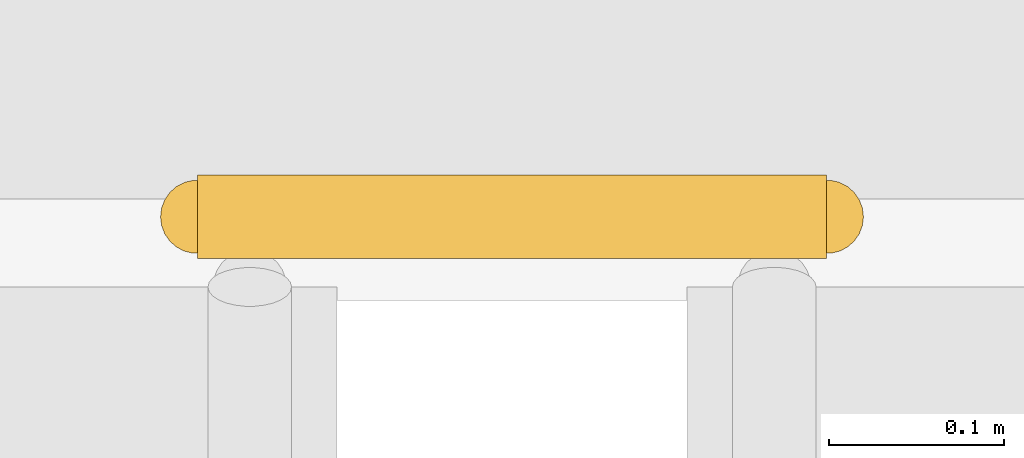
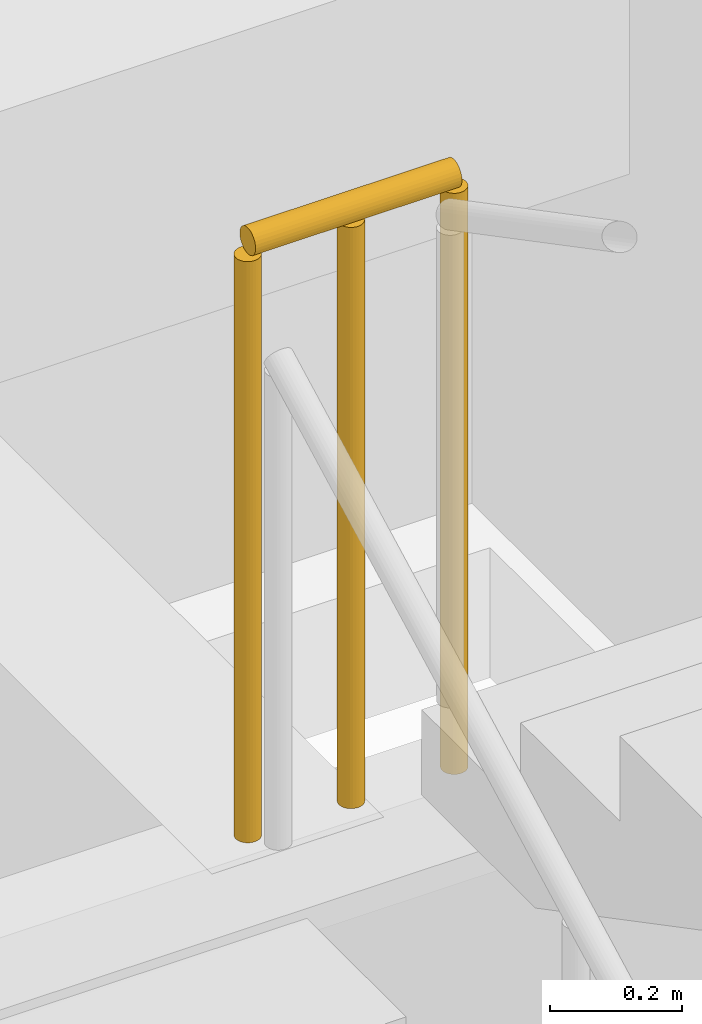
# One storey, part 47 of 50: 1 railing.
"""IFC4 building model written with IfcOpenShell, lengths in metres."""

from ifc_helpers import new_model, si_unit, direction, frame, origin, origin_2d, place, context, subcontext, project, spatial, circle, extrude, material, type_object, element, save


model = new_model("IFC4")

# Units and contexts
model_context = context("Model", 3, precision=1e-05, world=origin(), true_north=direction((0.0, 1.0)))
body_context = subcontext(model_context, "Body", "Model", "MODEL_VIEW")
ifc_project = project(units=[si_unit("LENGTHUNIT", "METRE"), si_unit("AREAUNIT", "SQUARE_METRE"), si_unit("VOLUMEUNIT", "CUBIC_METRE"), si_unit("PLANEANGLEUNIT", "RADIAN"), si_unit("MASSUNIT", "GRAM", prefix="KILO"), si_unit("THERMODYNAMICTEMPERATUREUNIT", "KELVIN"), si_unit("POWERUNIT", "WATT")], contexts=[model_context])

# Site, building, storey
site_placement = place(None, origin())
site = spatial("IfcSite", under=ifc_project, at=site_placement, CompositionType="ELEMENT")
building_placement = place(site_placement, origin())
building = spatial("IfcBuilding", under=site, at=building_placement, Name="Tavuni Mirador Residences", CompositionType="ELEMENT")
storey_placement = place(building_placement, frame((0.0, 0.0, 4.5)))
storey = spatial("IfcBuildingStorey", under=building, at=storey_placement, Name="L01", CompositionType="ELEMENT", Elevation=4.5)

# Railing
ifc_material = material(Name="Structural steel S355", Category="steel")
railing_type = type_object("IfcRailingType", Name="RT-GR1120", PredefinedType="GUARDRAIL", material=ifc_material)
railing_placement = place(storey_placement, frame((12.419921875, 90.93994140625, 1.574951171875)))
element("IfcRailing", 1, at=railing_placement, inside=storey, type_object=railing_type, Name="GRD-HL-ST4-L01", PredefinedType="GUARDRAIL", context=body_context, shape_type="SweptSolid", body=[
    extrude(circle(Radius=0.02392578125, at=origin_2d()), frame((0.0, 0.0, 1.09619140625), z_axis=(1.0, 0.0, 0.0), x_axis=(0.0, 1.0, 0.0)), (0.0, 0.0, 1.0), 0.360107421875),
    extrude(circle(Radius=0.02099609375, at=origin_2d()), origin(), (0.0, 0.0, 1.0), 1.072021484375),
    extrude(circle(Radius=0.02099609375, at=origin_2d()), frame((0.18017578125, 0.0, 0.0)), (0.0, 0.0, 1.0), 1.072021484375),
    extrude(circle(Radius=0.02099609375, at=origin_2d()), frame((0.360107421875, 0.0, 0.0)), (0.0, 0.0, 1.0), 1.072021484375),
])

save(model, "model.ifc")
